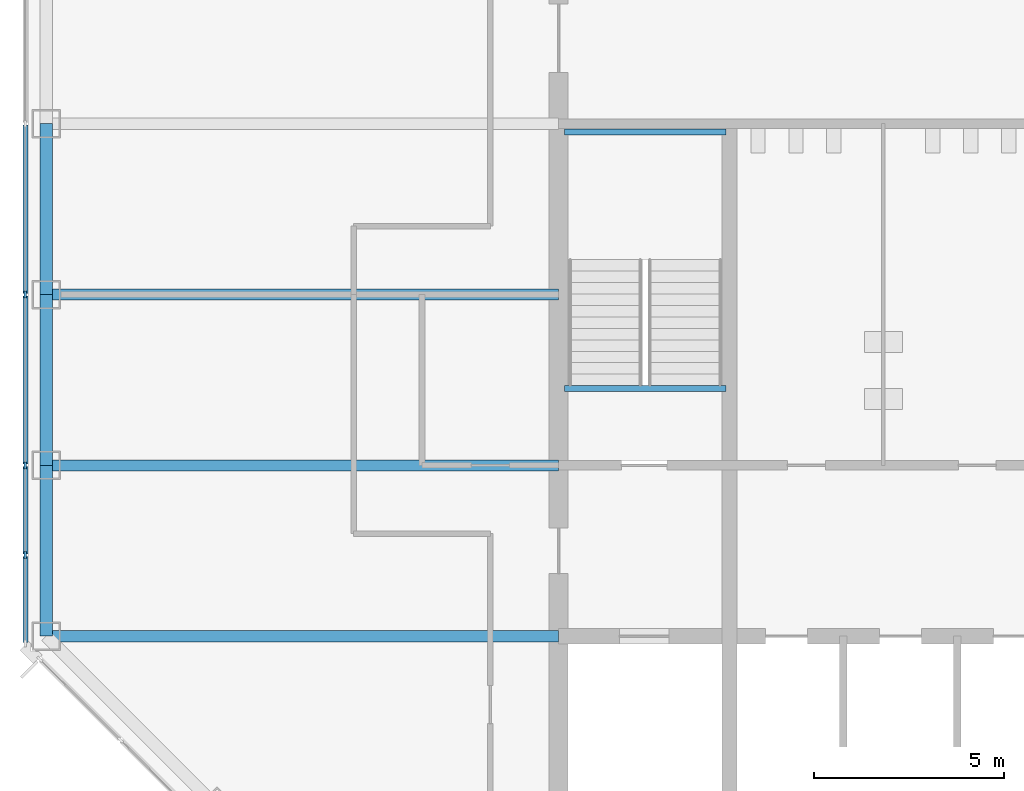
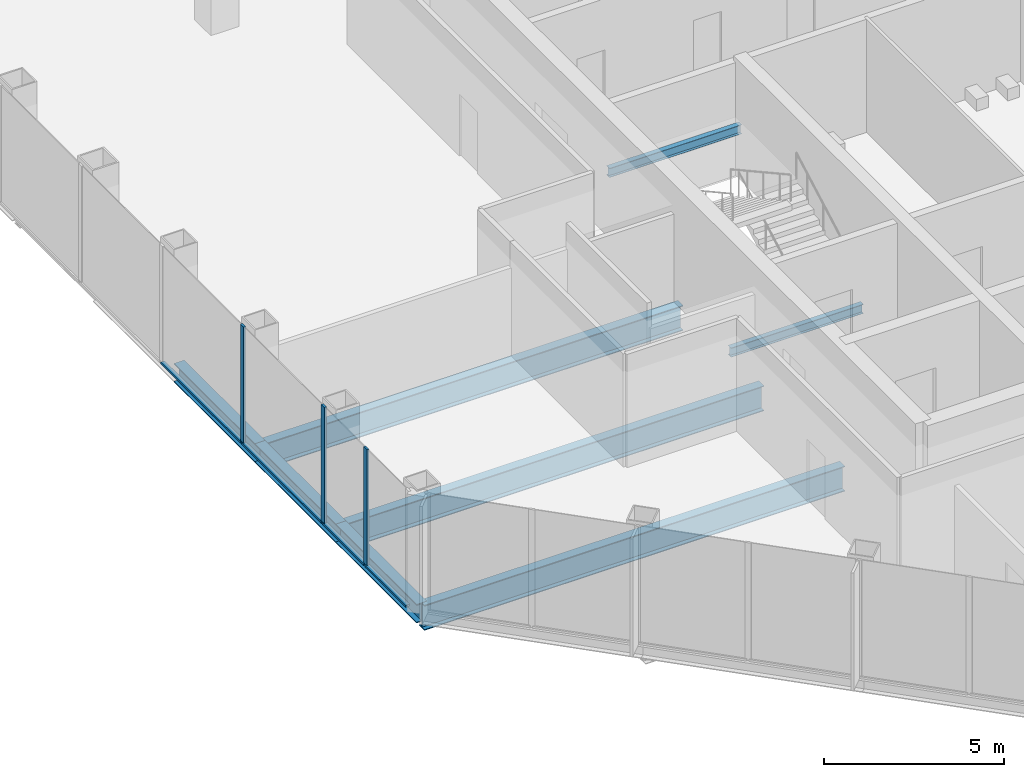
# One storey, part 3 of 13: 8 beams, 7 members, 1 element without a shape of its own.
"""IFC4 building model written with IfcOpenShell, lengths in metres."""

from ifc_helpers import new_model, si_unit, direction, frame, origin, origin_2d, place, context, subcontext, project, spatial, rectangle, i_section, extrude, material, material_profile, profile_set, type_object, element, aggregate, save


model = new_model("IFC4")

# Units and contexts
model_context = context("Model", 3, precision=1e-05, world=origin(), true_north=direction((0.0, 1.0)))
body_context = subcontext(model_context, "Body", "Model", "MODEL_VIEW")
ifc_project = project(units=[si_unit("LENGTHUNIT", "METRE"), si_unit("AREAUNIT", "SQUARE_METRE"), si_unit("VOLUMEUNIT", "CUBIC_METRE"), si_unit("PLANEANGLEUNIT", "RADIAN"), si_unit("MASSUNIT", "GRAM", prefix="KILO")], contexts=[model_context])

# Site, building, storey
site_placement = place(None, origin())
site = spatial("IfcSite", under=ifc_project, at=site_placement, CompositionType="ELEMENT")
building_placement = place(site_placement, origin())
building = spatial("IfcBuilding", under=site, at=building_placement, Name="Corais Broadcast Tower", CompositionType="ELEMENT")
storey_placement = place(building_placement, frame((0.0, 0.0, 119.60009765625)))
storey = spatial("IfcBuildingStorey", under=building, at=storey_placement, Name="L26", CompositionType="ELEMENT", Elevation=119.60009765625)

# Beams
ifc_material_1 = material(Name="Steel ASTM A572 Grade 50", Category="steel")
ifc_material_profile_1 = material_profile(ifc_material_1, i_section(OverallWidth=0.2939453125, OverallDepth=0.85107421875, WebThickness=0.01611328125, FlangeThickness=0.02685546875, at=origin_2d()), Name="W840x226")
ifc_profile_set_1 = profile_set([ifc_material_profile_1], Name="Steel ASTM A572 Grade 50")
beam_type_1 = type_object("IfcBeamType", Name="Floor beam W840x226", PredefinedType="BEAM", material=ifc_profile_set_1)
for number, where, z_axis, x_axis, name in (
    (1, (0.0, 18.0, -0.585693359375), (1.0, 0.0, 0.0), (0.0, 1.0, 0.0), "B1 E/3 to E/6"),
    (2, (0.0, 22.5, -0.585693359375), (1.0, 0.0, 0.0), (0.0, 1.0, 0.0), "B1 F/3 to F/6"),
    (3, (0.0, 27.0, -0.585693359375), (1.0, 0.0, 0.0), (0.0, 1.0, 0.0), "B1 G/3 to G/6"),
):
    element("IfcBeam", number, at=place(storey_placement, frame(where, z_axis=z_axis, x_axis=x_axis)), inside=storey, type_object=beam_type_1, Name=name, PredefinedType="BEAM", context=body_context, shape_type="SweptSolid", body=[
        extrude(i_section(OverallWidth=0.2939453125, OverallDepth=0.85107421875, WebThickness=0.01611328125, FlangeThickness=0.02685546875, at=origin_2d()), origin(), (0.0, 0.0, 1.0), 13.5),
    ])
ifc_material_2 = material(Name="Steel ASTM A572 Grade 50", Category="steel")
ifc_material_profile_2 = material_profile(ifc_material_2, i_section(OverallWidth=0.1650390625, OverallDepth=0.31005859375, WebThickness=0.005859375, FlangeThickness=0.009765625, at=origin_2d()), Name="W310x38.7")
ifc_profile_set_2 = profile_set([ifc_material_profile_2], Name="Steel ASTM A572 Grade 50")
beam_type_2 = type_object("IfcBeamType", Name="Landing trimmer W310x38.7", PredefinedType="BEAM", material=ifc_profile_set_2)
for number, where, z_axis, x_axis, name in (
    (4, (13.64990234375, 24.52490234375, -0.35498046875), (1.0, 0.0, 0.0), (0.0, 1.0, 0.0), "LT1 stair A landing trimmer L26"),
    (5, (13.64990234375, 31.284912109375, 1.64501953125), (1.0, 0.0, 0.0), (0.0, 1.0, 0.0), "LT1 stair A half landing trimmer L26"),
):
    element("IfcBeam", number, at=place(storey_placement, frame(where, z_axis=z_axis, x_axis=x_axis)), inside=storey, type_object=beam_type_2, Name=name, PredefinedType="BEAM", context=body_context, shape_type="SweptSolid", body=[
        extrude(i_section(OverallWidth=0.1650390625, OverallDepth=0.31005859375, WebThickness=0.005859375, FlangeThickness=0.009765625, at=origin_2d()), origin(), (0.0, 0.0, 1.0), 4.25),
    ])

# Curtain wall, members
ifc_material_3 = material(Name="Aluminium and glass", Category="aluminium")
curtain_wall_type = type_object("IfcCurtainWallType", Name="Unitised fritted curtain wall CW2", PredefinedType="NOTDEFINED", material=ifc_material_3)
curtain_wall_placement = place(storey_placement, origin())
curtain_wall = element("IfcCurtainWall", 6, at=curtain_wall_placement, inside=storey, type_object=curtain_wall_type, Name="CW2 curtain wall L26 2", PredefinedType="NOTDEFINED")
ifc_material_4 = material(Name="Aluminium 6063-T6", Category="aluminium")
ifc_material_profile_3 = material_profile(ifc_material_4, rectangle(XDim=0.06494140625, YDim=0.179931640625, at=origin_2d()), Name="Mullion CW2 65x180")
ifc_profile_set_3 = profile_set([ifc_material_profile_3], Name="Aluminium 6063-T6")
member_type_1 = type_object("IfcMemberType", Name="Mullion CW2 65x180", PredefinedType="MULLION", material=ifc_profile_set_3)
member_1_placement = place(storey_placement, frame((-0.550048828125, 20.135986328125, 0.0), z_axis=(0.0, 0.0, 1.0), x_axis=(-1.0, 0.0, 0.0)))
member_1 = element("IfcMember", 7, at=member_1_placement, type_object=member_type_1, Name="CW2 mullion 2", PredefinedType="MULLION", context=body_context, shape_type="SweptSolid", body=[
    extrude(rectangle(XDim=0.06494140625, YDim=0.179931640625, at=origin_2d()), origin(), (0.0, 0.0, 1.0), 4.0),
])
member_2_placement = place(storey_placement, frame((-0.550048828125, 22.5, 0.0), z_axis=(0.0, 0.0, 1.0), x_axis=(-1.0, 0.0, 0.0)))
member_2 = element("IfcMember", 8, at=member_2_placement, type_object=member_type_1, Name="CW2 mullion 3", PredefinedType="MULLION", context=body_context, shape_type="SweptSolid", body=[
    extrude(rectangle(XDim=0.06494140625, YDim=0.179931640625, at=origin_2d()), origin(), (0.0, 0.0, 1.0), 4.0),
])
member_3_placement = place(storey_placement, frame((-0.550048828125, 27.0, 0.0), z_axis=(0.0, 0.0, 1.0), x_axis=(-1.0, 0.0, 0.0)))
member_3 = element("IfcMember", 9, at=member_3_placement, type_object=member_type_1, Name="CW2 mullion 4", PredefinedType="MULLION", context=body_context, shape_type="SweptSolid", body=[
    extrude(rectangle(XDim=0.06494140625, YDim=0.179931640625, at=origin_2d()), origin(), (0.0, 0.0, 1.0), 4.0),
])

# Beams
ifc_material_5 = material(Name="Steel ASTM A572 Grade 50", Category="steel")
ifc_material_profile_4 = material_profile(ifc_material_5, i_section(OverallWidth=0.3291015625, OverallDepth=0.635009765625, WebThickness=0.017822265625, FlangeThickness=0.031005859375, at=origin_2d()), Name="W610x241")
ifc_profile_set_4 = profile_set([ifc_material_profile_4], Name="Steel ASTM A572 Grade 50")
beam_type_3 = type_object("IfcBeamType", Name="Spandrel W610x241", PredefinedType="BEAM", material=ifc_profile_set_4)
for number, where, z_axis, x_axis, name in (
    (10, (0.0, 22.5, -0.4775390625), (0.0, -1.0, 0.0), (1.0, 0.0, 0.0), "SB1 F/3 to E/3"),
    (11, (0.0, 27.0, -0.4775390625), (0.0, -1.0, 0.0), (1.0, 0.0, 0.0), "SB1 G/3 to F/3"),
    (12, (0.0, 31.5, -0.4775390625), (0.0, -1.0, 0.0), (1.0, 0.0, 0.0), "SB1 H/3 to G/3"),
):
    element("IfcBeam", number, at=place(storey_placement, frame(where, z_axis=z_axis, x_axis=x_axis)), inside=storey, type_object=beam_type_3, Name=name, PredefinedType="BEAM", context=body_context, shape_type="SweptSolid", body=[
        extrude(i_section(OverallWidth=0.3291015625, OverallDepth=0.635009765625, WebThickness=0.017822265625, FlangeThickness=0.031005859375, at=origin_2d()), origin(), (0.0, 0.0, 1.0), 4.5),
    ])

# Member
ifc_material_6 = material(Name="Aluminium 6063-T6", Category="aluminium")
ifc_material_profile_5 = material_profile(ifc_material_6, rectangle(XDim=0.1298828125, YDim=0.06494140625, at=origin_2d()), Name="Transom CW2 65x130")
ifc_profile_set_5 = profile_set([ifc_material_profile_5], Name="Aluminium 6063-T6")
member_type_2 = type_object("IfcMemberType", Name="Transom CW2 65x130", PredefinedType="USERDEFINED", material=ifc_profile_set_5)
member_4_placement = place(storey_placement, frame((-0.550048828125, 17.837158203125, 0.032470703125), z_axis=(0.0, 1.0, 0.0), x_axis=(-1.0, 0.0, 0.0)))
member_4 = element("IfcMember", 13, at=member_4_placement, type_object=member_type_2, Name="CW2 transom 1.1", ObjectType="TRANSOM", PredefinedType="USERDEFINED", context=body_context, shape_type="SweptSolid", body=[
    extrude(rectangle(XDim=0.1298828125, YDim=0.06494140625, at=origin_2d()), origin(), (0.0, 0.0, 1.0), 2.266357421875),
])

member_5_placement = place(storey_placement, frame((-0.550048828125, 20.168701171875, 0.032470703125), z_axis=(0.0, 1.0, 0.0), x_axis=(-1.0, 0.0, 0.0)))
member_5 = element("IfcMember", 14, at=member_5_placement, type_object=member_type_2, Name="CW2 transom 2.1", ObjectType="TRANSOM", PredefinedType="USERDEFINED", context=body_context, shape_type="SweptSolid", body=[
    extrude(rectangle(XDim=0.1298828125, YDim=0.06494140625, at=origin_2d()), origin(), (0.0, 0.0, 1.0), 2.298828125),
])

member_6_placement = place(storey_placement, frame((-0.550048828125, 22.532470703125, 0.032470703125), z_axis=(0.0, 1.0, 0.0), x_axis=(-1.0, 0.0, 0.0)))
member_6 = element("IfcMember", 15, at=member_6_placement, type_object=member_type_2, Name="CW2 transom 3.1", ObjectType="TRANSOM", PredefinedType="USERDEFINED", context=body_context, shape_type="SweptSolid", body=[
    extrude(rectangle(XDim=0.1298828125, YDim=0.06494140625, at=origin_2d()), origin(), (0.0, 0.0, 1.0), 4.43505859375),
])

member_7_placement = place(storey_placement, frame((-0.550048828125, 27.032470703125, 0.032470703125), z_axis=(0.0, 1.0, 0.0), x_axis=(-1.0, 0.0, 0.0)))
member_7 = element("IfcMember", 16, at=member_7_placement, type_object=member_type_2, Name="CW2 transom 4.1", ObjectType="TRANSOM", PredefinedType="USERDEFINED", context=body_context, shape_type="SweptSolid", body=[
    extrude(rectangle(XDim=0.1298828125, YDim=0.06494140625, at=origin_2d()), origin(), (0.0, 0.0, 1.0), 4.43505859375),
])

aggregate(curtain_wall, [member_1, member_2, member_3, member_4, member_5, member_6, member_7])

save(model, "model.ifc")
